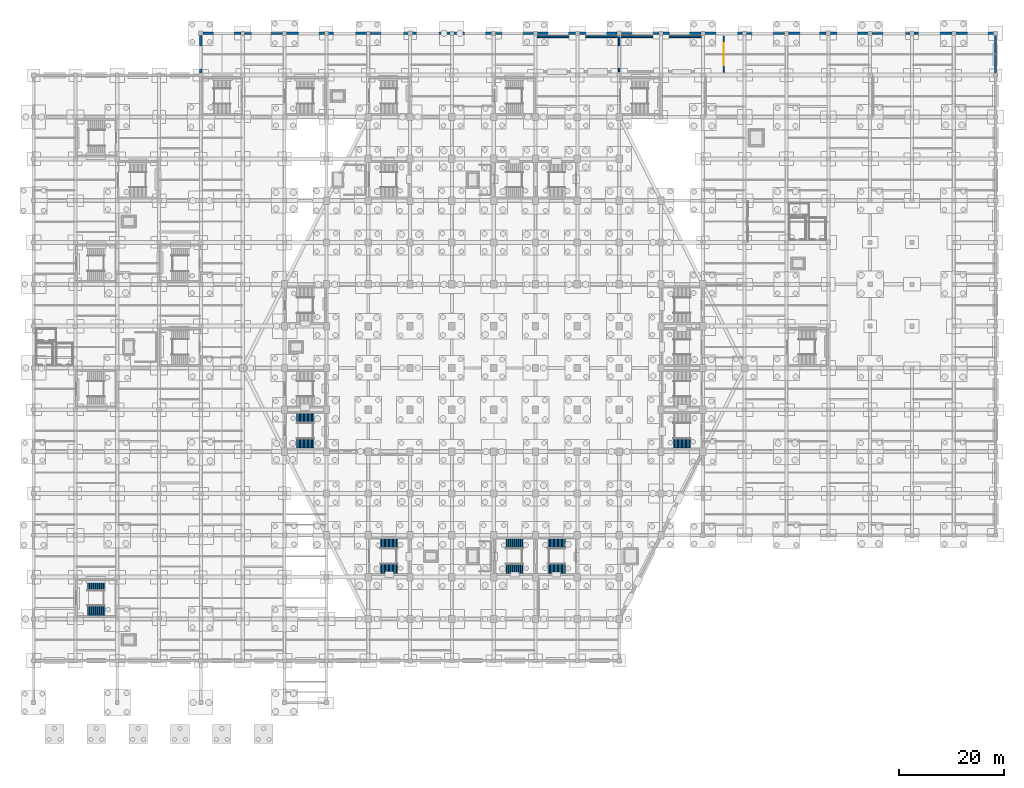
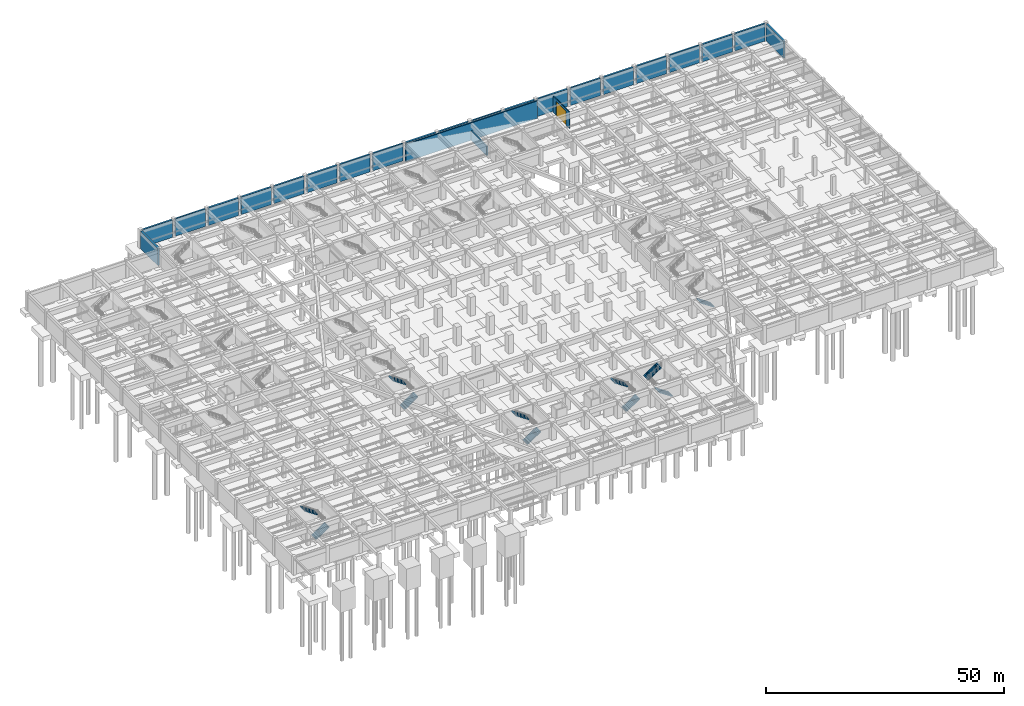
# One storey, part 30 of 36: 24 walls, 11 stair flights, 1 door, 1 opening, 6 elements without a shape of their own.
"""IFC4 building model written with IfcOpenShell, lengths in metres."""

from ifc_helpers import new_model, si_unit, direction, frame, frame_2d, origin, place, context, subcontext, project, spatial, polyline, rectangle, outline, extrude, material, layer, layer_set, type_object, element, fill, aggregate, save


model = new_model("IFC4")

# Units and contexts
model_context = context("Model", 3, precision=1e-05, world=origin(), true_north=direction((0.0, 1.0)))
body_context = subcontext(model_context, "Body", "Model", "MODEL_VIEW")
ifc_project = project(units=[si_unit("LENGTHUNIT", "METRE"), si_unit("AREAUNIT", "SQUARE_METRE"), si_unit("VOLUMEUNIT", "CUBIC_METRE"), si_unit("PLANEANGLEUNIT", "RADIAN"), si_unit("MASSUNIT", "GRAM", prefix="KILO")], contexts=[model_context])

# Site, building, storey
site_placement = place(None, origin())
site = spatial("IfcSite", under=ifc_project, at=site_placement, CompositionType="ELEMENT")
building_placement = place(site_placement, origin())
building = spatial("IfcBuilding", under=site, at=building_placement, Name="Tazarka Park Arena", CompositionType="ELEMENT")
storey_placement = place(building_placement, frame((0.0, 0.0, -4.800048828125)))
storey = spatial("IfcBuildingStorey", under=building, at=storey_placement, Name="B1", CompositionType="ELEMENT", Elevation=-4.800048828125)

# Walls
ifc_material_1 = material(Name="Concrete C40/50", Category="concrete")
ifc_layer_1 = layer(ifc_material_1, 0.300048828125, Name="Concrete C40/50")
ifc_layer_set_1 = layer_set([ifc_layer_1], Name="Concrete C40/50")
wall_type_1 = type_object("IfcWallType", Name="IWAL-CW-S1", PredefinedType="SHEAR", material=ifc_layer_set_1)
wall_1_placement = place(storey_placement, frame((112.0, 120.699951171875, 0.0), z_axis=(0.0, 0.0, 1.0), x_axis=(0.0, 1.0, 0.0)))
element("IfcWall", 1, at=wall_1_placement, inside=storey, type_object=wall_type_1, Name="VRW-MID-B1", PredefinedType="SHEAR", context=body_context, shape_type="SweptSolid", body=[
    extrude(rectangle(XDim=6.60009765625, YDim=0.300048828125, at=frame_2d((3.300048828125, 0.0))), origin(), (0.0, 0.0, 1.0), 2.420166015625),
])
ifc_material_2 = material(Name="Concrete C40/50", Category="concrete")
ifc_layer_2 = layer(ifc_material_2, 0.320068359375, Name="Concrete C40/50")
ifc_layer_set_2 = layer_set([ifc_layer_2], Name="Concrete C40/50")
wall_type_2 = type_object("IfcWallType", Name="IWAL-CW-S4", PredefinedType="SHEAR", material=ifc_layer_set_2)
wall_2_placement = place(storey_placement, frame((96.0, 127.35009765625, 0.0), z_axis=(0.0, 0.0, 1.0), x_axis=(1.0, 0.0, 0.0)))
element("IfcWall", 2, at=wall_2_placement, inside=storey, type_object=wall_type_2, Name="VRW-B1-N", PredefinedType="SHEAR", context=body_context, shape_type="SweptSolid", body=[
    extrude(rectangle(XDim=32.0, YDim=0.320068359375, at=frame_2d((16.0, 0.0))), origin(), (0.0, 0.0, 1.0), 4.4599609375),
])

# Wall, opening, door
ifc_material_3 = material(Name="Reinforced masonry compartment wall", Category="masonry")
ifc_layer_3 = layer(ifc_material_3, 0.199951171875, Name="Reinforced masonry compartment wall")
ifc_layer_set_3 = layer_set([ifc_layer_3], Name="Reinforced masonry compartment wall")
wall_type_3 = type_object("IfcWallType", Name="IWAL-PT-04", PredefinedType="PARTITIONING", material=ifc_layer_set_3)
wall_3_placement = place(storey_placement, frame((132.0, 120.60009765625, 0.0), z_axis=(0.0, 0.0, 1.0), x_axis=(0.0, 1.0, 0.0)))
wall_3 = element("IfcWall", 3, at=wall_3_placement, inside=storey, type_object=wall_type_3, Name="CPW-B1-PORTAL", PredefinedType="PARTITIONING", context=body_context, shape_type="SweptSolid", body=[
    extrude(rectangle(XDim=6.7998046875, YDim=0.199951171875, at=frame_2d((3.39990234375, 0.0))), origin(), (0.0, 0.0, 1.0), 4.199951171875),
])
opening_placement = place(wall_3_placement, frame((1.300048828125, 0.0, 0.0)))
opening = element("IfcOpeningElement", 4, at=opening_placement, cuts=wall_3, Name="Opening VS-01", PredefinedType="OPENING", context=body_context, shape_type="SweptSolid", body=[
    extrude(rectangle(XDim=4.199951171875, YDim=3.60009765625, at=frame_2d((2.10009765625, 1.800048828125))), frame((0.0, 0.10986328125, 0.0), z_axis=(0.0, -1.0, 0.0), x_axis=(1.0, 0.0, 0.0)), (0.0, 0.0, 1.0), 0.219970703125),
])
ifc_material_4 = material(Name="Thermally broken anodised aluminium and laminated safety glass", Category="aluminium")
door_type = type_object("IfcDoorType", Name="DR-VS-01", OperationType="NOTDEFINED", PredefinedType="DOOR", material=ifc_material_4)
door_placement = place(opening_placement, origin())
door = element("IfcDoor", 5, at=door_placement, inside=storey, type_object=door_type, Name="Basement Car Park Vehicle Entrance Door VS-CPK-01", OperationType="ROLLINGUP", OverallHeight=3.60009765625, OverallWidth=4.199951171875, PredefinedType="DOOR", context=body_context, shape_type="SweptSolid", body=[
    extrude(rectangle(XDim=4.199951171875, YDim=3.60009765625, at=frame_2d((2.10009765625, 1.800048828125))), frame((0.0, 0.02490234375, 0.0), z_axis=(0.0, -1.0, 0.0), x_axis=(1.0, 0.0, 0.0)), (0.0, 0.0, 1.0), 0.050048828125),
])
fill(opening, door)

# Walls
ifc_material_5 = material(Name="Concrete C35/45", Category="concrete")
ifc_layer_4 = layer(ifc_material_5, 0.39990234375, Name="Concrete C35/45")
ifc_layer_set_4 = layer_set([ifc_layer_4], Name="Concrete C35/45")
wall_type_4 = type_object("IfcWallType", Name="WAL-RW-01", PredefinedType="USERDEFINED", material=ifc_layer_set_4)
for number, where, z_axis, x_axis, name in (
    (6, (184.0, 127.64501953125, 0.0), (0.0, 0.0, 1.0), (0.0, -1.0, 0.0), "EW-B1-0021"),
    (7, (160.35498046875, 128.0, 0.0), (0.0, 0.0, 1.0), (1.0, 0.0, 0.0), "EW-B1-0024"),
    (8, (136.35498046875, 128.0, 0.0), (0.0, 0.0, 1.0), (1.0, 0.0, 0.0), "EW-B1-0027"),
):
    element("IfcWall", number, at=place(storey_placement, frame(where, z_axis=z_axis, x_axis=x_axis)), inside=storey, type_object=wall_type_4, Name=name, ObjectType="RETAININGWALL", PredefinedType="USERDEFINED", context=body_context, shape_type="SweptSolid", body=[
        extrude(rectangle(XDim=7.2900390625, YDim=0.39990234375, at=frame_2d((3.64501953125, 0.0))), origin(), (0.0, 0.0, 1.0), 4.4599609375),
    ])
wall_4_placement = place(storey_placement, frame((112.405029296875, 128.0, 0.0), z_axis=(0.0, 0.0, 1.0), x_axis=(1.0, 0.0, 0.0)))
element("IfcWall", 9, at=wall_4_placement, inside=storey, type_object=wall_type_4, Name="EW-B1-0030", ObjectType="RETAININGWALL", PredefinedType="USERDEFINED", context=body_context, shape_type="SweptSolid", body=[
    extrude(rectangle(XDim=7.239990234375, YDim=0.39990234375, at=frame_2d((3.6201171875, 0.0))), origin(), (0.0, 0.0, 1.0), 4.4599609375),
])
wall_5_placement = place(storey_placement, frame((88.35498046875, 128.0, 0.0), z_axis=(0.0, 0.0, 1.0), x_axis=(1.0, 0.0, 0.0)))
element("IfcWall", 10, at=wall_5_placement, inside=storey, type_object=wall_type_4, Name="EW-B1-0033", ObjectType="RETAININGWALL", PredefinedType="USERDEFINED", context=body_context, shape_type="SweptSolid", body=[
    extrude(rectangle(XDim=7.2900390625, YDim=0.39990234375, at=frame_2d((3.64501953125, 0.0))), origin(), (0.0, 0.0, 1.0), 4.4599609375),
])
wall_6_placement = place(storey_placement, frame((64.35498046875, 128.0, 0.0), z_axis=(0.0, 0.0, 1.0), x_axis=(1.0, 0.0, 0.0)))
element("IfcWall", 11, at=wall_6_placement, inside=storey, type_object=wall_type_4, Name="EW-B1-0036", ObjectType="RETAININGWALL", PredefinedType="USERDEFINED", context=body_context, shape_type="SweptSolid", body=[
    extrude(rectangle(XDim=7.239990234375, YDim=0.39990234375, at=frame_2d((3.6201171875, 0.0))), origin(), (0.0, 0.0, 1.0), 4.4599609375),
])
wall_7_placement = place(storey_placement, frame((40.35498046875, 128.0, 0.0), z_axis=(0.0, 0.0, 1.0), x_axis=(1.0, 0.0, 0.0)))
element("IfcWall", 12, at=wall_7_placement, inside=storey, type_object=wall_type_4, Name="EW-B1-0039", ObjectType="RETAININGWALL", PredefinedType="USERDEFINED", context=body_context, shape_type="SweptSolid", body=[
    extrude(rectangle(XDim=7.2900390625, YDim=0.39990234375, at=frame_2d((3.64501953125, 0.0))), origin(), (0.0, 0.0, 1.0), 4.4599609375),
])
ifc_material_6 = material(Name="Concrete C35/45", Category="concrete")
ifc_layer_5 = layer(ifc_material_6, 0.43994140625, Name="Concrete C35/45")
ifc_layer_set_5 = layer_set([ifc_layer_5], Name="Concrete C35/45")
wall_type_5 = type_object("IfcWallType", Name="WAL-RW-02", PredefinedType="USERDEFINED", material=ifc_layer_set_5)
wall_8_placement = place(storey_placement, frame((176.35498046875, 128.0, 0.0), z_axis=(0.0, 0.0, 1.0), x_axis=(1.0, 0.0, 0.0)))
element("IfcWall", 13, at=wall_8_placement, inside=storey, type_object=wall_type_5, Name="EW-B1-0022", ObjectType="RETAININGWALL", PredefinedType="USERDEFINED", context=body_context, shape_type="SweptSolid", body=[
    extrude(rectangle(XDim=7.2900390625, YDim=0.43994140625, at=frame_2d((3.64501953125, 0.0))), origin(), (0.0, 0.0, 1.0), 4.4599609375),
])
wall_9_placement = place(storey_placement, frame((152.405029296875, 128.0, 0.0), z_axis=(0.0, 0.0, 1.0), x_axis=(1.0, 0.0, 0.0)))
element("IfcWall", 14, at=wall_9_placement, inside=storey, type_object=wall_type_5, Name="EW-B1-0025", ObjectType="RETAININGWALL", PredefinedType="USERDEFINED", context=body_context, shape_type="SweptSolid", body=[
    extrude(rectangle(XDim=7.239990234375, YDim=0.43994140625, at=frame_2d((3.6201171875, 0.0))), origin(), (0.0, 0.0, 1.0), 4.4599609375),
])
wall_10_placement = place(storey_placement, frame((128.35498046875, 128.0, 0.0), z_axis=(0.0, 0.0, 1.0), x_axis=(1.0, 0.0, 0.0)))
element("IfcWall", 15, at=wall_10_placement, inside=storey, type_object=wall_type_5, Name="EW-B1-0028", ObjectType="RETAININGWALL", PredefinedType="USERDEFINED", context=body_context, shape_type="SweptSolid", body=[
    extrude(rectangle(XDim=7.2900390625, YDim=0.43994140625, at=frame_2d((3.64501953125, 0.0))), origin(), (0.0, 0.0, 1.0), 4.4599609375),
])
wall_11_placement = place(storey_placement, frame((104.35498046875, 128.0, 0.0), z_axis=(0.0, 0.0, 1.0), x_axis=(1.0, 0.0, 0.0)))
element("IfcWall", 16, at=wall_11_placement, inside=storey, type_object=wall_type_5, Name="EW-B1-0031", ObjectType="RETAININGWALL", PredefinedType="USERDEFINED", context=body_context, shape_type="SweptSolid", body=[
    extrude(rectangle(XDim=7.239990234375, YDim=0.43994140625, at=frame_2d((3.6201171875, 0.0))), origin(), (0.0, 0.0, 1.0), 4.4599609375),
])
for number, where, z_axis, x_axis, name in (
    (17, (80.35498046875, 128.0, 0.0), (0.0, 0.0, 1.0), (1.0, 0.0, 0.0), "EW-B1-0034"),
    (18, (56.35498046875, 128.0, 0.0), (0.0, 0.0, 1.0), (1.0, 0.0, 0.0), "EW-B1-0037"),
):
    element("IfcWall", number, at=place(storey_placement, frame(where, z_axis=z_axis, x_axis=x_axis)), inside=storey, type_object=wall_type_5, Name=name, ObjectType="RETAININGWALL", PredefinedType="USERDEFINED", context=body_context, shape_type="SweptSolid", body=[
        extrude(rectangle(XDim=7.2900390625, YDim=0.43994140625, at=frame_2d((3.64501953125, 0.0))), origin(), (0.0, 0.0, 1.0), 4.4599609375),
    ])
wall_12_placement = place(storey_placement, frame((32.405029296875, 128.0, 0.0), z_axis=(0.0, 0.0, 1.0), x_axis=(1.0, 0.0, 0.0)))
element("IfcWall", 19, at=wall_12_placement, inside=storey, type_object=wall_type_5, Name="EW-B1-0040", ObjectType="RETAININGWALL", PredefinedType="USERDEFINED", context=body_context, shape_type="SweptSolid", body=[
    extrude(rectangle(XDim=7.239990234375, YDim=0.43994140625, at=frame_2d((3.6201171875, 0.0))), origin(), (0.0, 0.0, 1.0), 4.4599609375),
])
ifc_material_7 = material(Name="Concrete C35/45", Category="concrete")
ifc_layer_6 = layer(ifc_material_7, 0.47998046875, Name="Concrete C35/45")
ifc_layer_set_6 = layer_set([ifc_layer_6], Name="Concrete C35/45")
wall_type_6 = type_object("IfcWallType", Name="WAL-RW-03", PredefinedType="USERDEFINED", material=ifc_layer_set_6)
wall_13_placement = place(storey_placement, frame((168.35498046875, 128.0, 0.0), z_axis=(0.0, 0.0, 1.0), x_axis=(1.0, 0.0, 0.0)))
element("IfcWall", 20, at=wall_13_placement, inside=storey, type_object=wall_type_6, Name="EW-B1-0023", ObjectType="RETAININGWALL", PredefinedType="USERDEFINED", context=body_context, shape_type="SweptSolid", body=[
    extrude(rectangle(XDim=7.2900390625, YDim=0.47998046875, at=frame_2d((3.64501953125, 0.0))), origin(), (0.0, 0.0, 1.0), 4.4599609375),
])
wall_14_placement = place(storey_placement, frame((144.35498046875, 128.0, 0.0), z_axis=(0.0, 0.0, 1.0), x_axis=(1.0, 0.0, 0.0)))
element("IfcWall", 21, at=wall_14_placement, inside=storey, type_object=wall_type_6, Name="EW-B1-0026", ObjectType="RETAININGWALL", PredefinedType="USERDEFINED", context=body_context, shape_type="SweptSolid", body=[
    extrude(rectangle(XDim=7.239990234375, YDim=0.47998046875, at=frame_2d((3.6201171875, 0.0))), origin(), (0.0, 0.0, 1.0), 4.4599609375),
])
for number, where, z_axis, x_axis, name in (
    (22, (120.35498046875, 128.0, 0.0), (0.0, 0.0, 1.0), (1.0, 0.0, 0.0), "EW-B1-0029"),
    (23, (96.35498046875, 128.0, 0.0), (0.0, 0.0, 1.0), (1.0, 0.0, 0.0), "EW-B1-0032"),
):
    element("IfcWall", number, at=place(storey_placement, frame(where, z_axis=z_axis, x_axis=x_axis)), inside=storey, type_object=wall_type_6, Name=name, ObjectType="RETAININGWALL", PredefinedType="USERDEFINED", context=body_context, shape_type="SweptSolid", body=[
        extrude(rectangle(XDim=7.2900390625, YDim=0.47998046875, at=frame_2d((3.64501953125, 0.0))), origin(), (0.0, 0.0, 1.0), 4.4599609375),
    ])
wall_15_placement = place(storey_placement, frame((72.405029296875, 128.0, 0.0), z_axis=(0.0, 0.0, 1.0), x_axis=(1.0, 0.0, 0.0)))
element("IfcWall", 24, at=wall_15_placement, inside=storey, type_object=wall_type_6, Name="EW-B1-0035", ObjectType="RETAININGWALL", PredefinedType="USERDEFINED", context=body_context, shape_type="SweptSolid", body=[
    extrude(rectangle(XDim=7.239990234375, YDim=0.47998046875, at=frame_2d((3.6201171875, 0.0))), origin(), (0.0, 0.0, 1.0), 4.4599609375),
])
wall_16_placement = place(storey_placement, frame((48.35498046875, 128.0, 0.0), z_axis=(0.0, 0.0, 1.0), x_axis=(1.0, 0.0, 0.0)))
element("IfcWall", 25, at=wall_16_placement, inside=storey, type_object=wall_type_6, Name="EW-B1-0038", ObjectType="RETAININGWALL", PredefinedType="USERDEFINED", context=body_context, shape_type="SweptSolid", body=[
    extrude(rectangle(XDim=7.2900390625, YDim=0.47998046875, at=frame_2d((3.64501953125, 0.0))), origin(), (0.0, 0.0, 1.0), 4.4599609375),
])
wall_17_placement = place(storey_placement, frame((32.0, 120.35498046875, 0.0), z_axis=(0.0, 0.0, 1.0), x_axis=(0.0, 1.0, 0.0)))
element("IfcWall", 26, at=wall_17_placement, inside=storey, type_object=wall_type_6, Name="EW-B1-0041", ObjectType="RETAININGWALL", PredefinedType="USERDEFINED", context=body_context, shape_type="SweptSolid", body=[
    extrude(rectangle(XDim=7.239990234375, YDim=0.47998046875, at=frame_2d((3.6201171875, 0.0))), origin(), (0.0, 0.0, 1.0), 4.4599609375),
])

# Stair, stair flights
ifc_material_8 = material(Name="Precast concrete C40/50", Category="concrete")
stair_type_1 = type_object("IfcStairType", Name="STR-2400", PredefinedType="HALF_TURN_STAIR", material=ifc_material_8)
stair_1_placement = place(storey_placement, origin())
stair_1 = element("IfcStair", 27, at=stair_1_placement, inside=storey, type_object=stair_type_1, Name="Stair ST09 B1", PredefinedType="HALF_TURN_STAIR")
ifc_material_9 = material(Name="Precast concrete C40/50", Category="concrete")
stair_flight_type_1 = type_object("IfcStairFlightType", Name="FLT-1350", PredefinedType="STRAIGHT", material=ifc_material_9)
stair_flight_1_placement = place(storey_placement, frame((66.31494140625, 25.6298828125, 0.0), z_axis=(0.0, 0.0, 1.0), x_axis=(1.0, 0.0, 0.0)))
stair_flight_1 = element("IfcStairFlight", 28, at=stair_flight_1_placement, type_object=stair_flight_type_1, Name="ST09-B1 flight 1", NumberOfRisers=14, NumberOfTreads=13, PredefinedType="STRAIGHT", RiserHeight=0.171429, TreadLength=0.255, context=body_context, shape_type="SweptSolid", body=[
    extrude(outline(polyline([(0.0, 0.0), (0.0, 0.17138671875), (0.2548828125, 0.17138671875), (0.2548828125, 0.3427734375), (0.510009765625, 0.3427734375), (0.510009765625, 0.514404296875), (0.764892578125, 0.514404296875), (0.764892578125, 0.685791015625), (1.02001953125, 0.685791015625), (1.02001953125, 0.857177734375), (1.27490234375, 0.857177734375), (1.27490234375, 1.028564453125), (1.530029296875, 1.028564453125), (1.530029296875, 1.199951171875), (1.784912109375, 1.199951171875), (1.784912109375, 1.371337890625), (2.0400390625, 1.371337890625), (2.0400390625, 1.54296875), (2.294921875, 1.54296875), (2.294921875, 1.71435546875), (2.550048828125, 1.71435546875), (2.550048828125, 1.8857421875), (2.804931640625, 1.8857421875), (2.804931640625, 2.05712890625), (3.06005859375, 2.05712890625), (3.06005859375, 2.228515625), (3.31494140625, 2.228515625), (3.31494140625, 2.39990234375), (3.31494140625, 2.01171875), (0.322509765625, 0.0), (0.0, 0.0)])), frame((0.0, 0.969970703125, 0.0), z_axis=(0.0, -1.0, 0.0), x_axis=(1.0, 0.0, 0.0)), (0.0, 0.0, 1.0), 1.93994140625),
])
stair_flight_2_placement = place(storey_placement, frame((69.6298828125, 30.3701171875, 2.400146484375), z_axis=(0.0, 0.0, 1.0), x_axis=(-1.0, 0.0, 0.0)))
stair_flight_2 = element("IfcStairFlight", 29, at=stair_flight_2_placement, type_object=stair_flight_type_1, Name="ST09-B1 flight 2", NumberOfRisers=14, NumberOfTreads=13, PredefinedType="STRAIGHT", RiserHeight=0.171429, TreadLength=0.255, context=body_context, shape_type="SweptSolid", body=[
    extrude(outline(polyline([(0.0, 0.0), (0.0, 0.17138671875), (0.2548828125, 0.17138671875), (0.2548828125, 0.3427734375), (0.510009765625, 0.3427734375), (0.510009765625, 0.514404296875), (0.764892578125, 0.514404296875), (0.764892578125, 0.685791015625), (1.02001953125, 0.685791015625), (1.02001953125, 0.857177734375), (1.27490234375, 0.857177734375), (1.27490234375, 1.028564453125), (1.530029296875, 1.028564453125), (1.530029296875, 1.199951171875), (1.784912109375, 1.199951171875), (1.784912109375, 1.371337890625), (2.0400390625, 1.371337890625), (2.0400390625, 1.54296875), (2.294921875, 1.54296875), (2.294921875, 1.71435546875), (2.550048828125, 1.71435546875), (2.550048828125, 1.8857421875), (2.804931640625, 1.8857421875), (2.804931640625, 2.05712890625), (3.06005859375, 2.05712890625), (3.06005859375, 2.228515625), (3.31494140625, 2.228515625), (3.31494140625, 2.39990234375), (3.31494140625, 2.01171875), (0.322509765625, 0.0), (0.0, 0.0)])), frame((0.0, 0.969970703125, 0.0), z_axis=(0.0, -1.0, 0.0), x_axis=(1.0, 0.0, 0.0)), (0.0, 0.0, 1.0), 1.93994140625),
])
aggregate(stair_1, [stair_flight_1, stair_flight_2])

stair_2_placement = place(storey_placement, origin())
stair_2 = element("IfcStair", 30, at=stair_2_placement, inside=storey, type_object=stair_type_1, Name="Stair ST11 B1", PredefinedType="HALF_TURN_STAIR")
stair_flight_3_placement = place(storey_placement, frame((101.68505859375, 25.6298828125, 0.0), z_axis=(0.0, 0.0, 1.0), x_axis=(-1.0, 0.0, 0.0)))
stair_flight_3 = element("IfcStairFlight", 31, at=stair_flight_3_placement, type_object=stair_flight_type_1, Name="ST11-B1 flight 1", NumberOfRisers=14, NumberOfTreads=13, PredefinedType="STRAIGHT", RiserHeight=0.171429, TreadLength=0.255, context=body_context, shape_type="SweptSolid", body=[
    extrude(outline(polyline([(0.0, 0.0), (0.0, 0.17138671875), (0.2548828125, 0.17138671875), (0.2548828125, 0.3427734375), (0.510009765625, 0.3427734375), (0.510009765625, 0.514404296875), (0.764892578125, 0.514404296875), (0.764892578125, 0.685791015625), (1.02001953125, 0.685791015625), (1.02001953125, 0.857177734375), (1.27490234375, 0.857177734375), (1.27490234375, 1.028564453125), (1.530029296875, 1.028564453125), (1.530029296875, 1.199951171875), (1.784912109375, 1.199951171875), (1.784912109375, 1.371337890625), (2.0400390625, 1.371337890625), (2.0400390625, 1.54296875), (2.294921875, 1.54296875), (2.294921875, 1.71435546875), (2.550048828125, 1.71435546875), (2.550048828125, 1.8857421875), (2.804931640625, 1.8857421875), (2.804931640625, 2.05712890625), (3.06005859375, 2.05712890625), (3.06005859375, 2.228515625), (3.31494140625, 2.228515625), (3.31494140625, 2.39990234375), (3.31494140625, 2.01171875), (0.322509765625, 0.0), (0.0, 0.0)])), frame((0.0, 0.969970703125, 0.0), z_axis=(0.0, -1.0, 0.0), x_axis=(1.0, 0.0, 0.0)), (0.0, 0.0, 1.0), 1.93994140625),
])
stair_flight_4_placement = place(storey_placement, frame((98.3701171875, 30.3701171875, 2.400146484375), z_axis=(0.0, 0.0, 1.0), x_axis=(1.0, 0.0, 0.0)))
stair_flight_4 = element("IfcStairFlight", 32, at=stair_flight_4_placement, type_object=stair_flight_type_1, Name="ST11-B1 flight 2", NumberOfRisers=14, NumberOfTreads=13, PredefinedType="STRAIGHT", RiserHeight=0.171429, TreadLength=0.255, context=body_context, shape_type="SweptSolid", body=[
    extrude(outline(polyline([(0.0, 0.0), (0.0, 0.17138671875), (0.2548828125, 0.17138671875), (0.2548828125, 0.3427734375), (0.510009765625, 0.3427734375), (0.510009765625, 0.514404296875), (0.764892578125, 0.514404296875), (0.764892578125, 0.685791015625), (1.02001953125, 0.685791015625), (1.02001953125, 0.857177734375), (1.27490234375, 0.857177734375), (1.27490234375, 1.028564453125), (1.530029296875, 1.028564453125), (1.530029296875, 1.199951171875), (1.784912109375, 1.199951171875), (1.784912109375, 1.371337890625), (2.0400390625, 1.371337890625), (2.0400390625, 1.54296875), (2.294921875, 1.54296875), (2.294921875, 1.71435546875), (2.550048828125, 1.71435546875), (2.550048828125, 1.8857421875), (2.804931640625, 1.8857421875), (2.804931640625, 2.05712890625), (3.06005859375, 2.05712890625), (3.06005859375, 2.228515625), (3.31494140625, 2.228515625), (3.31494140625, 2.39990234375), (3.31494140625, 2.01171875), (0.322509765625, 0.0), (0.0, 0.0)])), frame((0.0, 0.969970703125, 0.0), z_axis=(0.0, -1.0, 0.0), x_axis=(1.0, 0.0, 0.0)), (0.0, 0.0, 1.0), 1.93994140625),
])
aggregate(stair_2, [stair_flight_3, stair_flight_4])

stair_3_placement = place(storey_placement, origin())
stair_3 = element("IfcStair", 33, at=stair_3_placement, inside=storey, type_object=stair_type_1, Name="Stair ST17 B1", PredefinedType="HALF_TURN_STAIR")
stair_flight_5_placement = place(storey_placement, frame((10.31494140625, 17.6298828125, 0.0), z_axis=(0.0, 0.0, 1.0), x_axis=(1.0, 0.0, 0.0)))
stair_flight_5 = element("IfcStairFlight", 34, at=stair_flight_5_placement, type_object=stair_flight_type_1, Name="ST17-B1 flight 1", NumberOfRisers=14, NumberOfTreads=13, PredefinedType="STRAIGHT", RiserHeight=0.171429, TreadLength=0.255, context=body_context, shape_type="SweptSolid", body=[
    extrude(outline(polyline([(0.0, 0.0), (0.0, 0.17138671875), (0.2548828125, 0.17138671875), (0.2548828125, 0.3427734375), (0.510009765625, 0.3427734375), (0.510009765625, 0.514404296875), (0.764892578125, 0.514404296875), (0.764892578125, 0.685791015625), (1.02001953125, 0.685791015625), (1.02001953125, 0.857177734375), (1.27490234375, 0.857177734375), (1.27490234375, 1.028564453125), (1.530029296875, 1.028564453125), (1.530029296875, 1.199951171875), (1.784912109375, 1.199951171875), (1.784912109375, 1.371337890625), (2.0400390625, 1.371337890625), (2.0400390625, 1.54296875), (2.294921875, 1.54296875), (2.294921875, 1.71435546875), (2.550048828125, 1.71435546875), (2.550048828125, 1.8857421875), (2.804931640625, 1.8857421875), (2.804931640625, 2.05712890625), (3.06005859375, 2.05712890625), (3.06005859375, 2.228515625), (3.31494140625, 2.228515625), (3.31494140625, 2.39990234375), (3.31494140625, 2.01171875), (0.322509765625, 0.0), (0.0, 0.0)])), frame((0.0, 0.969970703125, 0.0), z_axis=(0.0, -1.0, 0.0), x_axis=(1.0, 0.0, 0.0)), (0.0, 0.0, 1.0), 1.93994140625),
])
stair_flight_6_placement = place(storey_placement, frame((13.6298828125, 22.3701171875, 2.400146484375), z_axis=(0.0, 0.0, 1.0), x_axis=(-1.0, 0.0, 0.0)))
stair_flight_6 = element("IfcStairFlight", 35, at=stair_flight_6_placement, type_object=stair_flight_type_1, Name="ST17-B1 flight 2", NumberOfRisers=14, NumberOfTreads=13, PredefinedType="STRAIGHT", RiserHeight=0.171429, TreadLength=0.255, context=body_context, shape_type="SweptSolid", body=[
    extrude(outline(polyline([(0.0, 0.0), (0.0, 0.17138671875), (0.2548828125, 0.17138671875), (0.2548828125, 0.3427734375), (0.510009765625, 0.3427734375), (0.510009765625, 0.514404296875), (0.764892578125, 0.514404296875), (0.764892578125, 0.685791015625), (1.02001953125, 0.685791015625), (1.02001953125, 0.857177734375), (1.27490234375, 0.857177734375), (1.27490234375, 1.028564453125), (1.530029296875, 1.028564453125), (1.530029296875, 1.199951171875), (1.784912109375, 1.199951171875), (1.784912109375, 1.371337890625), (2.0400390625, 1.371337890625), (2.0400390625, 1.54296875), (2.294921875, 1.54296875), (2.294921875, 1.71435546875), (2.550048828125, 1.71435546875), (2.550048828125, 1.8857421875), (2.804931640625, 1.8857421875), (2.804931640625, 2.05712890625), (3.06005859375, 2.05712890625), (3.06005859375, 2.228515625), (3.31494140625, 2.228515625), (3.31494140625, 2.39990234375), (3.31494140625, 2.01171875), (0.322509765625, 0.0), (0.0, 0.0)])), frame((0.0, 0.969970703125, 0.0), z_axis=(0.0, -1.0, 0.0), x_axis=(1.0, 0.0, 0.0)), (0.0, 0.0, 1.0), 1.93994140625),
])
aggregate(stair_3, [stair_flight_5, stair_flight_6])

ifc_material_10 = material(Name="Precast concrete C40/50", Category="concrete")
stair_type_2 = type_object("IfcStairType", Name="STR-1800", PredefinedType="HALF_TURN_STAIR", material=ifc_material_10)
stair_4_placement = place(storey_placement, origin())
stair_4 = element("IfcStair", 36, at=stair_4_placement, inside=storey, type_object=stair_type_2, Name="Vomitory Stair ST19 B1", PredefinedType="HALF_TURN_STAIR")
ifc_material_11 = material(Name="Precast concrete C40/50", Category="concrete")
stair_flight_type_2 = type_object("IfcStairFlightType", Name="FLT-1800", PredefinedType="STRAIGHT", material=ifc_material_11)
stair_flight_7_placement = place(storey_placement, frame((50.31494140625, 49.610107421875, 0.0), z_axis=(0.0, 0.0, 1.0), x_axis=(1.0, 0.0, 0.0)))
stair_flight_7 = element("IfcStairFlight", 37, at=stair_flight_7_placement, type_object=stair_flight_type_2, Name="ST19-B1 flight 1", NumberOfRisers=14, NumberOfTreads=13, PredefinedType="STRAIGHT", RiserHeight=0.171429, TreadLength=0.255, context=body_context, shape_type="SweptSolid", body=[
    extrude(outline(polyline([(0.0, 0.0), (0.0, 0.17138671875), (0.2548828125, 0.17138671875), (0.2548828125, 0.3427734375), (0.510009765625, 0.3427734375), (0.510009765625, 0.514404296875), (0.764892578125, 0.514404296875), (0.764892578125, 0.685791015625), (1.02001953125, 0.685791015625), (1.02001953125, 0.857177734375), (1.27490234375, 0.857177734375), (1.27490234375, 1.028564453125), (1.530029296875, 1.028564453125), (1.530029296875, 1.199951171875), (1.784912109375, 1.199951171875), (1.784912109375, 1.371337890625), (2.0400390625, 1.371337890625), (2.0400390625, 1.54296875), (2.294921875, 1.54296875), (2.294921875, 1.71435546875), (2.550048828125, 1.71435546875), (2.550048828125, 1.8857421875), (2.804931640625, 1.8857421875), (2.804931640625, 2.05712890625), (3.06005859375, 2.05712890625), (3.06005859375, 2.228515625), (3.31494140625, 2.228515625), (3.31494140625, 2.39990234375), (3.31494140625, 2.01171875), (0.322509765625, 0.0), (0.0, 0.0)])), frame((0.0, 0.949951171875, 0.0), z_axis=(0.0, -1.0, 0.0), x_axis=(1.0, 0.0, 0.0)), (0.0, 0.0, 1.0), 1.89990234375),
])
stair_flight_8_placement = place(storey_placement, frame((53.6298828125, 54.389892578125, 2.400146484375), z_axis=(0.0, 0.0, 1.0), x_axis=(-1.0, 0.0, 0.0)))
stair_flight_8 = element("IfcStairFlight", 38, at=stair_flight_8_placement, type_object=stair_flight_type_2, Name="ST19-B1 flight 2", NumberOfRisers=14, NumberOfTreads=13, PredefinedType="STRAIGHT", RiserHeight=0.171429, TreadLength=0.255, context=body_context, shape_type="SweptSolid", body=[
    extrude(outline(polyline([(0.0, 0.0), (0.0, 0.17138671875), (0.2548828125, 0.17138671875), (0.2548828125, 0.3427734375), (0.510009765625, 0.3427734375), (0.510009765625, 0.514404296875), (0.764892578125, 0.514404296875), (0.764892578125, 0.685791015625), (1.02001953125, 0.685791015625), (1.02001953125, 0.857177734375), (1.27490234375, 0.857177734375), (1.27490234375, 1.028564453125), (1.530029296875, 1.028564453125), (1.530029296875, 1.199951171875), (1.784912109375, 1.199951171875), (1.784912109375, 1.371337890625), (2.0400390625, 1.371337890625), (2.0400390625, 1.54296875), (2.294921875, 1.54296875), (2.294921875, 1.71435546875), (2.550048828125, 1.71435546875), (2.550048828125, 1.8857421875), (2.804931640625, 1.8857421875), (2.804931640625, 2.05712890625), (3.06005859375, 2.05712890625), (3.06005859375, 2.228515625), (3.31494140625, 2.228515625), (3.31494140625, 2.39990234375), (3.31494140625, 2.01171875), (0.322509765625, 0.0), (0.0, 0.0)])), frame((0.0, 0.949951171875, 0.0), z_axis=(0.0, -1.0, 0.0), x_axis=(1.0, 0.0, 0.0)), (0.0, 0.0, 1.0), 1.89990234375),
])
aggregate(stair_4, [stair_flight_7, stair_flight_8])

# Stair, stair flight
stair_5_placement = place(storey_placement, origin())
stair_5 = element("IfcStair", 39, at=stair_5_placement, inside=storey, type_object=stair_type_2, Name="Vomitory Stair ST21 B1", PredefinedType="HALF_TURN_STAIR")
stair_flight_9_placement = place(storey_placement, frame((125.68505859375, 49.610107421875, 0.0), z_axis=(0.0, 0.0, 1.0), x_axis=(-1.0, 0.0, 0.0)))
stair_flight_9 = element("IfcStairFlight", 40, at=stair_flight_9_placement, type_object=stair_flight_type_2, Name="ST21-B1 flight 1", NumberOfRisers=14, NumberOfTreads=13, PredefinedType="STRAIGHT", RiserHeight=0.171429, TreadLength=0.255, context=body_context, shape_type="SweptSolid", body=[
    extrude(outline(polyline([(0.0, 0.0), (0.0, 0.17138671875), (0.2548828125, 0.17138671875), (0.2548828125, 0.3427734375), (0.510009765625, 0.3427734375), (0.510009765625, 0.514404296875), (0.764892578125, 0.514404296875), (0.764892578125, 0.685791015625), (1.02001953125, 0.685791015625), (1.02001953125, 0.857177734375), (1.27490234375, 0.857177734375), (1.27490234375, 1.028564453125), (1.530029296875, 1.028564453125), (1.530029296875, 1.199951171875), (1.784912109375, 1.199951171875), (1.784912109375, 1.371337890625), (2.0400390625, 1.371337890625), (2.0400390625, 1.54296875), (2.294921875, 1.54296875), (2.294921875, 1.71435546875), (2.550048828125, 1.71435546875), (2.550048828125, 1.8857421875), (2.804931640625, 1.8857421875), (2.804931640625, 2.05712890625), (3.06005859375, 2.05712890625), (3.06005859375, 2.228515625), (3.31494140625, 2.228515625), (3.31494140625, 2.39990234375), (3.31494140625, 2.01171875), (0.322509765625, 0.0), (0.0, 0.0)])), frame((0.0, 0.949951171875, 0.0), z_axis=(0.0, -1.0, 0.0), x_axis=(1.0, 0.0, 0.0)), (0.0, 0.0, 1.0), 1.89990234375),
])
aggregate(stair_5, [stair_flight_9])

# Stair, stair flights
stair_6_placement = place(storey_placement, origin())
stair_6 = element("IfcStair", 41, at=stair_6_placement, inside=storey, type_object=stair_type_2, Name="Vomitory Stair ST23 B1", PredefinedType="HALF_TURN_STAIR")
stair_flight_10_placement = place(storey_placement, frame((90.31494140625, 25.610107421875, 0.0), z_axis=(0.0, 0.0, 1.0), x_axis=(1.0, 0.0, 0.0)))
stair_flight_10 = element("IfcStairFlight", 42, at=stair_flight_10_placement, type_object=stair_flight_type_2, Name="ST23-B1 flight 1", NumberOfRisers=14, NumberOfTreads=13, PredefinedType="STRAIGHT", RiserHeight=0.171429, TreadLength=0.255, context=body_context, shape_type="SweptSolid", body=[
    extrude(outline(polyline([(0.0, 0.0), (0.0, 0.17138671875), (0.2548828125, 0.17138671875), (0.2548828125, 0.3427734375), (0.510009765625, 0.3427734375), (0.510009765625, 0.514404296875), (0.764892578125, 0.514404296875), (0.764892578125, 0.685791015625), (1.02001953125, 0.685791015625), (1.02001953125, 0.857177734375), (1.27490234375, 0.857177734375), (1.27490234375, 1.028564453125), (1.530029296875, 1.028564453125), (1.530029296875, 1.199951171875), (1.784912109375, 1.199951171875), (1.784912109375, 1.371337890625), (2.0400390625, 1.371337890625), (2.0400390625, 1.54296875), (2.294921875, 1.54296875), (2.294921875, 1.71435546875), (2.550048828125, 1.71435546875), (2.550048828125, 1.8857421875), (2.804931640625, 1.8857421875), (2.804931640625, 2.05712890625), (3.06005859375, 2.05712890625), (3.06005859375, 2.228515625), (3.31494140625, 2.228515625), (3.31494140625, 2.39990234375), (3.31494140625, 2.01171875), (0.322509765625, 0.0), (0.0, 0.0)])), frame((0.0, 0.949951171875, 0.0), z_axis=(0.0, -1.0, 0.0), x_axis=(1.0, 0.0, 0.0)), (0.0, 0.0, 1.0), 1.89990234375),
])
stair_flight_11_placement = place(storey_placement, frame((93.6298828125, 30.389892578125, 2.400146484375), z_axis=(0.0, 0.0, 1.0), x_axis=(-1.0, 0.0, 0.0)))
stair_flight_11 = element("IfcStairFlight", 43, at=stair_flight_11_placement, type_object=stair_flight_type_2, Name="ST23-B1 flight 2", NumberOfRisers=14, NumberOfTreads=13, PredefinedType="STRAIGHT", RiserHeight=0.171429, TreadLength=0.255, context=body_context, shape_type="SweptSolid", body=[
    extrude(outline(polyline([(0.0, 0.0), (0.0, 0.17138671875), (0.2548828125, 0.17138671875), (0.2548828125, 0.3427734375), (0.510009765625, 0.3427734375), (0.510009765625, 0.514404296875), (0.764892578125, 0.514404296875), (0.764892578125, 0.685791015625), (1.02001953125, 0.685791015625), (1.02001953125, 0.857177734375), (1.27490234375, 0.857177734375), (1.27490234375, 1.028564453125), (1.530029296875, 1.028564453125), (1.530029296875, 1.199951171875), (1.784912109375, 1.199951171875), (1.784912109375, 1.371337890625), (2.0400390625, 1.371337890625), (2.0400390625, 1.54296875), (2.294921875, 1.54296875), (2.294921875, 1.71435546875), (2.550048828125, 1.71435546875), (2.550048828125, 1.8857421875), (2.804931640625, 1.8857421875), (2.804931640625, 2.05712890625), (3.06005859375, 2.05712890625), (3.06005859375, 2.228515625), (3.31494140625, 2.228515625), (3.31494140625, 2.39990234375), (3.31494140625, 2.01171875), (0.322509765625, 0.0), (0.0, 0.0)])), frame((0.0, 0.949951171875, 0.0), z_axis=(0.0, -1.0, 0.0), x_axis=(1.0, 0.0, 0.0)), (0.0, 0.0, 1.0), 1.89990234375),
])
aggregate(stair_6, [stair_flight_10, stair_flight_11])

save(model, "model.ifc")
